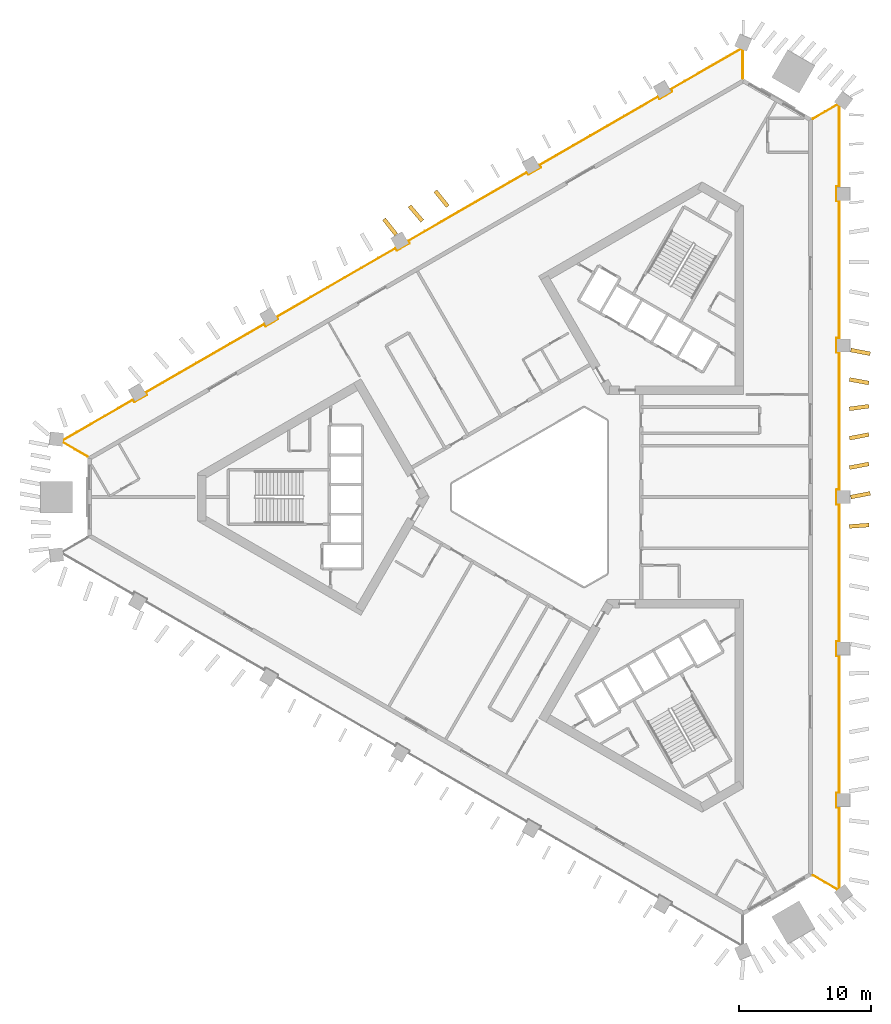
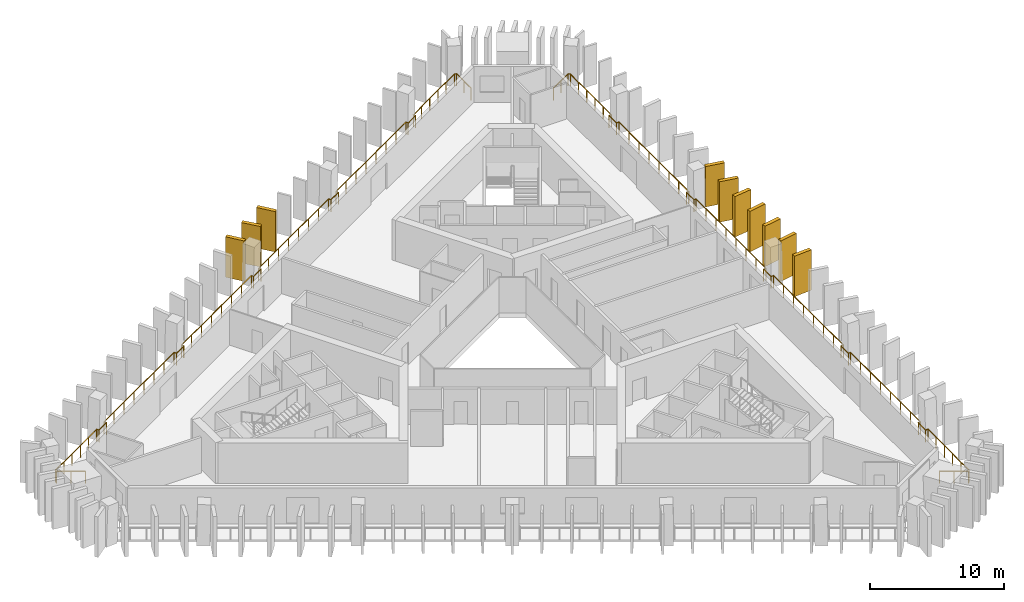
# One storey, part 9 of 10: 10 shading devices, 2 railings.
"""IFC4 building model written with IfcOpenShell, lengths in metres."""

import ifcopenshell
import ifcopenshell.guid

model = None  # the IFC model being written
_history = None  # IfcOwnerHistory: only IFC2X3 demands one
_inside = {}  # id of a spatial element -> (the spatial element, [elements in it])
_under = {}  # id of a project, library or spatial element -> (it, [spatial elements below it])
_declared = {}  # id of a project -> (the project, [libraries it declares])
_typed = {}  # id of a type object -> (the type object, [elements of that type])
_made_of = {}  # id of a material, layer set ... -> (it, [elements and type objects made of it])


def new_model(schema):
    """Start an empty IFC model of exactly this schema.

    Asked for "IFC4X3", IfcOpenShell would pick the latest addendum, in which some entities
    have other attributes; the version numbers below select the first issue.
    IFC2X3 requires an IfcOwnerHistory on every rooted entity: one is made here for all.
    """
    global model, _history
    if schema == "IFC4X3":
        model = ifcopenshell.file(schema_version=(4, 3, 0, 0))
    else:
        model = ifcopenshell.file(schema=schema)
    _inside.clear()
    _under.clear()
    _declared.clear()
    _typed.clear()
    _made_of.clear()
    _history = None
    if model.schema == "IFC2X3":
        org = make("IfcOrganization", Name="unknown")
        user = make(
            "IfcPersonAndOrganization",
            ThePerson=make("IfcPerson", FamilyName="unknown"),
            TheOrganization=org,
        )
        app = make(
            "IfcApplication",
            ApplicationDeveloper=org,
            Version="unknown",
            ApplicationFullName="unknown",
            ApplicationIdentifier="unknown",
        )
        _history = make(
            "IfcOwnerHistory",
            OwningUser=user,
            OwningApplication=app,
            ChangeAction="ADDED",
            CreationDate=0,
        )
    return model


def make(cls, **values):
    """One entity of the class cls with the attributes given. An attribute that is None is left unset."""
    return model.create_entity(
        cls, **{name: value for name, value in values.items() if value is not None}
    )


def rooted(cls, **values):
    """An entity with a GlobalId (a new one), such as an element, a storey or a relation."""
    return make(cls, GlobalId=ifcopenshell.guid.new(), OwnerHistory=_history, **values)


def si_unit(unit_type, name, prefix=None):
    """IfcSIUnit, for example si_unit("LENGTHUNIT", "METRE", prefix="MILLI")."""
    return make("IfcSIUnit", UnitType=unit_type, Prefix=prefix, Name=name)


def assignment(units):
    """IfcUnitAssignment: the units of a project."""
    return None if units is None else make("IfcUnitAssignment", Units=units)


def point(xyz):
    """IfcCartesianPoint."""
    return None if xyz is None else make("IfcCartesianPoint", Coordinates=xyz)


def direction(xyz):
    """IfcDirection."""
    return None if xyz is None else make("IfcDirection", DirectionRatios=xyz)


def frame(location, z_axis=None, x_axis=None):
    """IfcAxis2Placement3D, a coordinate frame: its origin and axes. An axis left out is left unset."""
    return make(
        "IfcAxis2Placement3D",
        Location=point(location),
        Axis=direction(z_axis),
        RefDirection=direction(x_axis),
    )


def frame_2d(location, x_axis=None):
    """IfcAxis2Placement2D, a coordinate frame in the plane: its origin and x axis."""
    return make(
        "IfcAxis2Placement2D", Location=point(location), RefDirection=direction(x_axis)
    )


def origin():
    """The frame at (0, 0, 0) with its axes left unset."""
    return frame((0.0, 0.0, 0.0))


def origin_2d():
    """The frame at (0, 0) in the plane with its x axis left unset."""
    return frame_2d((0.0, 0.0))


def place(relative_to, where):
    """IfcLocalPlacement: puts the frame where relative to a parent placement (None: the world)."""
    return make(
        "IfcLocalPlacement", PlacementRelTo=relative_to, RelativePlacement=where
    )


def context(
    kind, dimensions, precision=None, world=None, true_north=None, identifier=None
):
    """IfcGeometricRepresentationContext, for example the 3D "Model" context."""
    return make(
        "IfcGeometricRepresentationContext",
        ContextIdentifier=identifier,
        ContextType=kind,
        CoordinateSpaceDimension=dimensions,
        Precision=precision,
        WorldCoordinateSystem=world,
        TrueNorth=true_north,
    )


def subcontext(parent, identifier, kind, view, scale=None):
    """IfcGeometricRepresentationSubContext, for example "Body" below "Model"."""
    return make(
        "IfcGeometricRepresentationSubContext",
        ContextIdentifier=identifier,
        ContextType=kind,
        ParentContext=parent,
        TargetScale=scale,
        TargetView=view,
    )


def project(units=None, contexts=None):
    """IfcProject with its units and contexts."""
    return rooted(
        "IfcProject",
        Name="project",
        RepresentationContexts=contexts,
        UnitsInContext=assignment(units),
    )


def spatial(cls, under=None, at=None, **own):
    """A site, building, storey or space (cls), placed at a placement, below another one or the project."""
    s = rooted(cls, ObjectPlacement=at, **own)
    if under is not None:
        _under.setdefault(under.id(), (under, []))[1].append(s)
    return s


def profile(cls, at=None, kind="AREA", **sizes):
    """A parametric profile (cls). Its sizes go by their IFC names, for example OverallWidth=200.0."""
    return make(cls, ProfileType=kind, Position=at, **sizes)


def rectangle(**sizes):
    """IfcRectangleProfileDef."""
    return profile("IfcRectangleProfileDef", **sizes)


def circle(**sizes):
    """IfcCircleProfileDef."""
    return profile("IfcCircleProfileDef", **sizes)


def extrude(swept, where, along, depth):
    """IfcExtrudedAreaSolid: the profile swept, set in the frame where, extruded along a direction by depth."""
    return make(
        "IfcExtrudedAreaSolid",
        SweptArea=swept,
        Position=where,
        ExtrudedDirection=direction(along),
        Depth=depth,
    )


def shape(context_of_items, identifier, shape_type, items):
    """IfcShapeRepresentation: the items that make up one representation, for example the "Body"."""
    return make(
        "IfcShapeRepresentation",
        ContextOfItems=context_of_items,
        RepresentationIdentifier=identifier,
        RepresentationType=shape_type,
        Items=items,
    )


def material(Name=None, Category=None):
    """IfcMaterial."""
    return make("IfcMaterial", Name=Name, Category=Category)


def layer(
    of_material, thickness, ventilated=None, Name=None, Category=None, Priority=None
):
    """IfcMaterialLayer: one layer of a wall or slab, of a material (None: an air gap)."""
    return make(
        "IfcMaterialLayer",
        Material=of_material,
        LayerThickness=thickness,
        IsVentilated=ventilated,
        Name=Name,
        Category=Category,
        Priority=Priority,
    )


def layer_set(layers, Name=None):
    """IfcMaterialLayerSet."""
    return make("IfcMaterialLayerSet", MaterialLayers=layers, LayerSetName=Name)


def made_of(thing, what):
    """Note that an element or type object is made of a material, layer set ...; save() writes the relation."""
    if what is not None:
        _made_of.setdefault(what.id(), (what, []))[1].append(thing)
    return thing


def type_object(cls, material=None, **own):
    """A type object (cls), such as IfcWallType, which elements share."""
    return made_of(rooted(cls, **own), material)


def element(
    cls,
    number,
    at=None,
    inside=None,
    cuts=None,
    type_object=None,
    material=None,
    context=None,
    identifier="Body",
    shape_type=None,
    held_by="IfcProductDefinitionShape",
    body=None,
    shapes=None,
    **own,
):
    """One element of the class cls, such as IfcWall. Its Tag is "e" and its number.

    at: its placement. inside: the storey or other place that contains it. cuts: it is an
    opening in that element (IfcRelVoidsElement). A single representation is given by context,
    identifier, shape_type and body (its items); several are given by shapes. held_by: the class
    of the entity that holds the representations. save() writes the other relations.
    """
    e = rooted(cls, Tag="e%d" % number, ObjectPlacement=at, **own)
    if body is not None:
        shapes = [shape(context, identifier, shape_type, body)]
    if shapes is not None:
        e.Representation = make(held_by, Representations=shapes)
    if inside is not None:
        _inside.setdefault(inside.id(), (inside, []))[1].append(e)
    if cuts is not None:
        rooted(
            "IfcRelVoidsElement", RelatingBuildingElement=cuts, RelatedOpeningElement=e
        )
    if type_object is not None:
        _typed.setdefault(type_object.id(), (type_object, []))[1].append(e)
    return made_of(e, material)


def aggregate(whole, parts):
    """IfcRelAggregates: a whole, such as a stair, and the parts it consists of."""
    return rooted("IfcRelAggregates", RelatingObject=whole, RelatedObjects=parts)


def save(model, path):
    """Write the relations noted so far, then the file.

    IfcRelAggregates (storeys below a building ...), IfcRelContainedInSpatialStructure (elements
    in a storey), IfcRelDefinesByType, IfcRelAssociatesMaterial and IfcRelDeclares: one each for
    every whole, place, type object, material and project.
    """
    for whole, parts in _under.values():
        aggregate(whole, parts)
    for where, things in _inside.values():
        rooted(
            "IfcRelContainedInSpatialStructure",
            RelatedElements=things,
            RelatingStructure=where,
        )
    for kind, things in _typed.values():
        rooted("IfcRelDefinesByType", RelatedObjects=things, RelatingType=kind)
    for what, things in _made_of.values():
        rooted("IfcRelAssociatesMaterial", RelatedObjects=things, RelatingMaterial=what)
    for by, libraries in _declared.values():
        rooted("IfcRelDeclares", RelatingContext=by, RelatedDefinitions=libraries)
    model.write(path)


model = new_model("IFC4")

# Units and contexts
model_context = context("Model", 3, precision=1e-05, world=origin(), true_north=direction((0.0, 1.0)))
body_context = subcontext(model_context, "Body", "Model", "MODEL_VIEW")
ifc_project = project(units=[si_unit("LENGTHUNIT", "METRE"), si_unit("AREAUNIT", "SQUARE_METRE"), si_unit("VOLUMEUNIT", "CUBIC_METRE"), si_unit("PLANEANGLEUNIT", "RADIAN"), si_unit("MASSUNIT", "GRAM", prefix="KILO")], contexts=[model_context])

# Site, building, storey
site_placement = place(None, origin())
site = spatial("IfcSite", under=ifc_project, at=site_placement, CompositionType="ELEMENT")
building_placement = place(site_placement, origin())
building = spatial("IfcBuilding", under=site, at=building_placement, Name="Jabali Bay Hotel Tower and Convention Centre", CompositionType="ELEMENT")
storey_placement = place(building_placement, frame((0.0, 0.0, 106.800048828125)))
storey = spatial("IfcBuildingStorey", under=building, at=storey_placement, Name="L25", CompositionType="ELEMENT", Elevation=106.800048828125)

# Railings
ifc_material_1 = material(Name="Glass", Category="glass")
railing_type = type_object("IfcRailingType", Name="Loggia glass guard 1100", PredefinedType="BALUSTRADE", material=ifc_material_1)
railing_1_placement = place(storey_placement, frame((95.1494140625, 108.7412109375, 0.0)))
element("IfcRailing", 1, at=railing_1_placement, inside=storey, type_object=railing_type, Name="Loggia glass guard L25", PredefinedType="BALUSTRADE", context=body_context, shape_type="SweptSolid", body=[
    extrude(circle(Radius=0.02490234375, at=origin_2d()), frame((0.0, 0.0, 1.0751953125), z_axis=(0.866007213464, 0.500031505235, 0.0), x_axis=(-0.495753666391, 0.858598401702, 0.13052619222)), (0.0, 0.0, 1.0), 2.165283203125),
    extrude(circle(Radius=0.02490234375, at=origin_2d()), frame((1.875244140625, 1.082763671875, 1.0751953125), z_axis=(0.800939455023, -0.598745346025, 0.0), x_axis=(0.593622996588, 0.794087306954, 0.13052619222)), (0.0, 0.0, 1.0), 0.15576171875),
    extrude(circle(Radius=0.02490234375, at=origin_2d()), frame((2.0, 0.989501953125, 1.0751953125), z_axis=(0.0, -1.0, 0.0), x_axis=(0.991444861374, 0.0, 0.13052619222)), (0.0, 0.0, 1.0), 6.138671875),
    extrude(circle(Radius=0.02490234375, at=origin_2d()), frame((2.0, -5.149169921875, 1.0751953125), z_axis=(-1.0, 0.0, 0.0), x_axis=(0.0, -0.991444861374, 0.13052619222)), (0.0, 0.0, 1.0), 0.199951171875),
    extrude(circle(Radius=0.02490234375, at=origin_2d()), frame((1.800048828125, -5.149169921875, 1.0751953125), z_axis=(0.0, -1.0, 0.0), x_axis=(0.991444861374, 0.0, 0.13052619222)), (0.0, 0.0, 1.0), 1.10009765625),
    extrude(circle(Radius=0.02490234375, at=origin_2d()), frame((1.800048828125, -6.249267578125, 1.0751953125), z_axis=(1.0, 0.0, 0.0), x_axis=(0.0, 0.991444861374, 0.13052619222)), (0.0, 0.0, 1.0), 0.199951171875),
    extrude(circle(Radius=0.02490234375, at=origin_2d()), frame((2.0, -6.249267578125, 1.0751953125), z_axis=(0.0, -1.0, 0.0), x_axis=(0.991444861374, 0.0, 0.13052619222)), (0.0, 0.0, 1.0), 10.4208984375),
    extrude(circle(Radius=0.02490234375, at=origin_2d()), frame((2.0, -16.670166015625, 1.0751953125), z_axis=(-1.0, 0.0, 0.0), x_axis=(0.0, -0.991444861374, 0.13052619222)), (0.0, 0.0, 1.0), 0.199951171875),
    extrude(circle(Radius=0.02490234375, at=origin_2d()), frame((1.800048828125, -16.670166015625, 1.0751953125), z_axis=(0.0, -1.0, 0.0), x_axis=(0.991444861374, 0.0, 0.13052619222)), (0.0, 0.0, 1.0), 1.10009765625),
    extrude(circle(Radius=0.02490234375, at=origin_2d()), frame((1.800048828125, -17.770263671875, 1.0751953125), z_axis=(1.0, 0.0, 0.0), x_axis=(0.0, 0.991444861374, 0.13052619222)), (0.0, 0.0, 1.0), 0.199951171875),
    extrude(circle(Radius=0.02490234375, at=origin_2d()), frame((2.0, -17.770263671875, 1.0751953125), z_axis=(0.0, -1.0, 0.0), x_axis=(0.991444861374, 0.0, 0.13052619222)), (0.0, 0.0, 1.0), 10.4208984375),
    extrude(circle(Radius=0.02490234375, at=origin_2d()), frame((2.0, -28.191162109375, 1.0751953125), z_axis=(-1.0, 0.0, 0.0), x_axis=(0.0, -0.991444861374, 0.13052619222)), (0.0, 0.0, 1.0), 0.199951171875),
    extrude(circle(Radius=0.02490234375, at=origin_2d()), frame((1.800048828125, -28.191162109375, 1.0751953125), z_axis=(0.0, -1.0, 0.0), x_axis=(0.991444861374, 0.0, 0.13052619222)), (0.0, 0.0, 1.0), 1.10009765625),
    extrude(circle(Radius=0.02490234375, at=origin_2d()), frame((1.800048828125, -29.291259765625, 1.0751953125), z_axis=(1.0, 0.0, 0.0), x_axis=(0.0, 0.991444861374, 0.13052619222)), (0.0, 0.0, 1.0), 0.199951171875),
    extrude(circle(Radius=0.02490234375, at=origin_2d()), frame((2.0, -29.291259765625, 1.0751953125), z_axis=(0.0, -1.0, 0.0), x_axis=(0.991444861374, 0.0, 0.13052619222)), (0.0, 0.0, 1.0), 10.4208984375),
    extrude(circle(Radius=0.02490234375, at=origin_2d()), frame((2.0, -39.712158203125, 1.0751953125), z_axis=(-1.0, 0.0, 0.0), x_axis=(0.0, -0.991444861374, 0.13052619222)), (0.0, 0.0, 1.0), 0.199951171875),
    extrude(circle(Radius=0.02490234375, at=origin_2d()), frame((1.800048828125, -39.712158203125, 1.0751953125), z_axis=(0.0, -1.0, 0.0), x_axis=(0.991444861374, 0.0, 0.13052619222)), (0.0, 0.0, 1.0), 1.10009765625),
    extrude(circle(Radius=0.02490234375, at=origin_2d()), frame((1.800048828125, -40.812255859375, 1.0751953125), z_axis=(1.0, 0.0, 0.0), x_axis=(0.0, 0.991444861374, 0.13052619222)), (0.0, 0.0, 1.0), 0.199951171875),
    extrude(circle(Radius=0.02490234375, at=origin_2d()), frame((2.0, -40.812255859375, 1.0751953125), z_axis=(0.0, -1.0, 0.0), x_axis=(0.991444861374, 0.0, 0.13052619222)), (0.0, 0.0, 1.0), 10.4208984375),
    extrude(circle(Radius=0.02490234375, at=origin_2d()), frame((2.0, -51.233154296875, 1.0751953125), z_axis=(-1.0, 0.0, 0.0), x_axis=(0.0, -0.991444861374, 0.13052619222)), (0.0, 0.0, 1.0), 0.199951171875),
    extrude(circle(Radius=0.02490234375, at=origin_2d()), frame((1.800048828125, -51.233154296875, 1.0751953125), z_axis=(0.0, -1.0, 0.0), x_axis=(0.991444861374, 0.0, 0.13052619222)), (0.0, 0.0, 1.0), 1.10009765625),
    extrude(circle(Radius=0.02490234375, at=origin_2d()), frame((1.800048828125, -52.333251953125, 1.0751953125), z_axis=(1.0, 0.0, 0.0), x_axis=(0.0, 0.991444861374, 0.13052619222)), (0.0, 0.0, 1.0), 0.199951171875),
    extrude(circle(Radius=0.02490234375, at=origin_2d()), frame((2.0, -52.333251953125, 1.0751953125), z_axis=(0.0, -1.0, 0.0), x_axis=(0.991444861374, 0.0, 0.13052619222)), (0.0, 0.0, 1.0), 6.138671875),
    extrude(circle(Radius=0.02490234375, at=origin_2d()), frame((2.0, -58.471923828125, 1.0751953125), z_axis=(-0.800939455023, -0.598745346025, 0.0), x_axis=(0.593622996588, -0.794087306954, 0.13052619222)), (0.0, 0.0, 1.0), 0.15576171875),
    extrude(circle(Radius=0.02490234375, at=origin_2d()), frame((1.875244140625, -58.565185546875, 1.0751953125), z_axis=(-0.866007213464, 0.500031505235, 0.0), x_axis=(-0.495753666391, -0.858598401702, 0.13052619222)), (0.0, 0.0, 1.0), 2.165283203125),
    extrude(circle(Radius=0.02001953125, at=origin_2d()), origin(), (0.0, 0.0, 1.0), 1.050048828125),
    extrude(circle(Radius=0.02001953125, at=origin_2d()), frame((0.9375, 0.54150390625, 0.0)), (0.0, 0.0, 1.0), 1.050048828125),
    extrude(circle(Radius=0.02001953125, at=origin_2d()), frame((1.875244140625, 1.082763671875, 0.0)), (0.0, 0.0, 1.0), 1.050048828125),
    extrude(circle(Radius=0.02001953125, at=origin_2d()), frame((2.0, 0.989501953125, 0.0)), (0.0, 0.0, 1.0), 1.050048828125),
    extrude(circle(Radius=0.02001953125, at=origin_2d()), frame((2.0, -0.23828125, 0.0)), (0.0, 0.0, 1.0), 1.050048828125),
    extrude(circle(Radius=0.02001953125, at=origin_2d()), frame((2.0, -1.466064453125, 0.0)), (0.0, 0.0, 1.0), 1.050048828125),
    extrude(circle(Radius=0.02001953125, at=origin_2d()), frame((2.0, -2.693603515625, 0.0)), (0.0, 0.0, 1.0), 1.050048828125),
    extrude(circle(Radius=0.02001953125, at=origin_2d()), frame((2.0, -3.92138671875, 0.0)), (0.0, 0.0, 1.0), 1.050048828125),
    extrude(circle(Radius=0.02001953125, at=origin_2d()), frame((2.0, -5.149169921875, 0.0)), (0.0, 0.0, 1.0), 1.050048828125),
    extrude(circle(Radius=0.02001953125, at=origin_2d()), frame((1.800048828125, -5.149169921875, 0.0)), (0.0, 0.0, 1.0), 1.050048828125),
    extrude(circle(Radius=0.02001953125, at=origin_2d()), frame((1.800048828125, -6.249267578125, 0.0)), (0.0, 0.0, 1.0), 1.050048828125),
    extrude(circle(Radius=0.02001953125, at=origin_2d()), frame((2.0, -6.249267578125, 0.0)), (0.0, 0.0, 1.0), 1.050048828125),
    extrude(circle(Radius=0.02001953125, at=origin_2d()), frame((2.0, -7.738037109375, 0.0)), (0.0, 0.0, 1.0), 1.050048828125),
    extrude(circle(Radius=0.02001953125, at=origin_2d()), frame((2.0, -9.2265625, 0.0)), (0.0, 0.0, 1.0), 1.050048828125),
    extrude(circle(Radius=0.02001953125, at=origin_2d()), frame((2.0, -10.71533203125, 0.0)), (0.0, 0.0, 1.0), 1.050048828125),
    extrude(circle(Radius=0.02001953125, at=origin_2d()), frame((2.0, -12.2041015625, 0.0)), (0.0, 0.0, 1.0), 1.050048828125),
    extrude(circle(Radius=0.02001953125, at=origin_2d()), frame((2.0, -13.69287109375, 0.0)), (0.0, 0.0, 1.0), 1.050048828125),
    extrude(circle(Radius=0.02001953125, at=origin_2d()), frame((2.0, -15.181396484375, 0.0)), (0.0, 0.0, 1.0), 1.050048828125),
    extrude(circle(Radius=0.02001953125, at=origin_2d()), frame((2.0, -16.670166015625, 0.0)), (0.0, 0.0, 1.0), 1.050048828125),
    extrude(circle(Radius=0.02001953125, at=origin_2d()), frame((1.800048828125, -16.670166015625, 0.0)), (0.0, 0.0, 1.0), 1.050048828125),
    extrude(circle(Radius=0.02001953125, at=origin_2d()), frame((1.800048828125, -17.770263671875, 0.0)), (0.0, 0.0, 1.0), 1.050048828125),
    extrude(circle(Radius=0.02001953125, at=origin_2d()), frame((2.0, -17.770263671875, 0.0)), (0.0, 0.0, 1.0), 1.050048828125),
    extrude(circle(Radius=0.02001953125, at=origin_2d()), frame((2.0, -19.259033203125, 0.0)), (0.0, 0.0, 1.0), 1.050048828125),
    extrude(circle(Radius=0.02001953125, at=origin_2d()), frame((2.0, -20.74755859375, 0.0)), (0.0, 0.0, 1.0), 1.050048828125),
    extrude(circle(Radius=0.02001953125, at=origin_2d()), frame((2.0, -22.236328125, 0.0)), (0.0, 0.0, 1.0), 1.050048828125),
    extrude(circle(Radius=0.02001953125, at=origin_2d()), frame((2.0, -23.72509765625, 0.0)), (0.0, 0.0, 1.0), 1.050048828125),
    extrude(circle(Radius=0.02001953125, at=origin_2d()), frame((2.0, -25.2138671875, 0.0)), (0.0, 0.0, 1.0), 1.050048828125),
    extrude(circle(Radius=0.02001953125, at=origin_2d()), frame((2.0, -26.702392578125, 0.0)), (0.0, 0.0, 1.0), 1.050048828125),
    extrude(circle(Radius=0.02001953125, at=origin_2d()), frame((2.0, -28.191162109375, 0.0)), (0.0, 0.0, 1.0), 1.050048828125),
    extrude(circle(Radius=0.02001953125, at=origin_2d()), frame((1.800048828125, -28.191162109375, 0.0)), (0.0, 0.0, 1.0), 1.050048828125),
    extrude(circle(Radius=0.02001953125, at=origin_2d()), frame((1.800048828125, -29.291259765625, 0.0)), (0.0, 0.0, 1.0), 1.050048828125),
    extrude(circle(Radius=0.02001953125, at=origin_2d()), frame((2.0, -29.291259765625, 0.0)), (0.0, 0.0, 1.0), 1.050048828125),
    extrude(circle(Radius=0.02001953125, at=origin_2d()), frame((2.0, -30.780029296875, 0.0)), (0.0, 0.0, 1.0), 1.050048828125),
    extrude(circle(Radius=0.02001953125, at=origin_2d()), frame((2.0, -32.2685546875, 0.0)), (0.0, 0.0, 1.0), 1.050048828125),
    extrude(circle(Radius=0.02001953125, at=origin_2d()), frame((2.0, -33.75732421875, 0.0)), (0.0, 0.0, 1.0), 1.050048828125),
    extrude(circle(Radius=0.02001953125, at=origin_2d()), frame((2.0, -35.24609375, 0.0)), (0.0, 0.0, 1.0), 1.050048828125),
    extrude(circle(Radius=0.02001953125, at=origin_2d()), frame((2.0, -36.73486328125, 0.0)), (0.0, 0.0, 1.0), 1.050048828125),
    extrude(circle(Radius=0.02001953125, at=origin_2d()), frame((2.0, -38.223388671875, 0.0)), (0.0, 0.0, 1.0), 1.050048828125),
    extrude(circle(Radius=0.02001953125, at=origin_2d()), frame((2.0, -39.712158203125, 0.0)), (0.0, 0.0, 1.0), 1.050048828125),
    extrude(circle(Radius=0.02001953125, at=origin_2d()), frame((1.800048828125, -39.712158203125, 0.0)), (0.0, 0.0, 1.0), 1.050048828125),
    extrude(circle(Radius=0.02001953125, at=origin_2d()), frame((1.800048828125, -40.812255859375, 0.0)), (0.0, 0.0, 1.0), 1.050048828125),
    extrude(circle(Radius=0.02001953125, at=origin_2d()), frame((2.0, -40.812255859375, 0.0)), (0.0, 0.0, 1.0), 1.050048828125),
    extrude(circle(Radius=0.02001953125, at=origin_2d()), frame((2.0, -42.301025390625, 0.0)), (0.0, 0.0, 1.0), 1.050048828125),
    extrude(circle(Radius=0.02001953125, at=origin_2d()), frame((2.0, -43.78955078125, 0.0)), (0.0, 0.0, 1.0), 1.050048828125),
    extrude(circle(Radius=0.02001953125, at=origin_2d()), frame((2.0, -45.2783203125, 0.0)), (0.0, 0.0, 1.0), 1.050048828125),
    extrude(circle(Radius=0.02001953125, at=origin_2d()), frame((2.0, -46.76708984375, 0.0)), (0.0, 0.0, 1.0), 1.050048828125),
    extrude(circle(Radius=0.02001953125, at=origin_2d()), frame((2.0, -48.255859375, 0.0)), (0.0, 0.0, 1.0), 1.050048828125),
    extrude(circle(Radius=0.02001953125, at=origin_2d()), frame((2.0, -49.744384765625, 0.0)), (0.0, 0.0, 1.0), 1.050048828125),
    extrude(circle(Radius=0.02001953125, at=origin_2d()), frame((2.0, -51.233154296875, 0.0)), (0.0, 0.0, 1.0), 1.050048828125),
    extrude(circle(Radius=0.02001953125, at=origin_2d()), frame((1.800048828125, -51.233154296875, 0.0)), (0.0, 0.0, 1.0), 1.050048828125),
    extrude(circle(Radius=0.02001953125, at=origin_2d()), frame((1.800048828125, -52.333251953125, 0.0)), (0.0, 0.0, 1.0), 1.050048828125),
    extrude(circle(Radius=0.02001953125, at=origin_2d()), frame((2.0, -52.333251953125, 0.0)), (0.0, 0.0, 1.0), 1.050048828125),
    extrude(circle(Radius=0.02001953125, at=origin_2d()), frame((2.0, -53.56103515625, 0.0)), (0.0, 0.0, 1.0), 1.050048828125),
    extrude(circle(Radius=0.02001953125, at=origin_2d()), frame((2.0, -54.788818359375, 0.0)), (0.0, 0.0, 1.0), 1.050048828125),
    extrude(circle(Radius=0.02001953125, at=origin_2d()), frame((2.0, -56.016357421875, 0.0)), (0.0, 0.0, 1.0), 1.050048828125),
    extrude(circle(Radius=0.02001953125, at=origin_2d()), frame((2.0, -57.244140625, 0.0)), (0.0, 0.0, 1.0), 1.050048828125),
    extrude(circle(Radius=0.02001953125, at=origin_2d()), frame((2.0, -58.471923828125, 0.0)), (0.0, 0.0, 1.0), 1.050048828125),
    extrude(circle(Radius=0.02001953125, at=origin_2d()), frame((1.875244140625, -58.565185546875, 0.0)), (0.0, 0.0, 1.0), 1.050048828125),
    extrude(circle(Radius=0.02001953125, at=origin_2d()), frame((0.9375, -58.02392578125, 0.0)), (0.0, 0.0, 1.0), 1.050048828125),
    extrude(circle(Radius=0.02001953125, at=origin_2d()), frame((0.0, -57.482421875, 0.0)), (0.0, 0.0, 1.0), 1.050048828125),
])
railing_2_placement = place(storey_placement, frame((40.03466796875, 83.079345703125, 0.0)))
element("IfcRailing", 2, at=railing_2_placement, inside=storey, type_object=railing_type, Name="Loggia glass guard L25", PredefinedType="BALUSTRADE", context=body_context, shape_type="SweptSolid", body=[
    extrude(circle(Radius=0.02490234375, at=origin_2d()), frame((0.0, 0.0, 1.0751953125), z_axis=(-0.866056034881, 0.49994694163, 0.0), x_axis=(-0.495669826239, -0.858646805445, 0.13052619222)), (0.0, 0.0, 1.0), 2.165283203125),
    extrude(circle(Radius=0.02490234375, at=origin_2d()), frame((-1.875244140625, 1.08251953125, 1.0751953125), z_axis=(0.117477392411, 0.993075557182, 0.0), x_axis=(-0.984579658124, 0.116472357034, 0.13052619222)), (0.0, 0.0, 1.0), 0.15576171875),
    extrude(circle(Radius=0.02490234375, at=origin_2d()), frame((-1.85693359375, 1.2373046875, 1.0751953125), z_axis=(0.866021995826, 0.500005902711, 0.0), x_axis=(-0.495728282899, 0.858613057598, 0.13052619222)), (0.0, 0.0, 1.0), 6.138671875),
    extrude(circle(Radius=0.02490234375, at=origin_2d()), frame((3.459228515625, 4.306640625, 1.0751953125), z_axis=(0.500603037456, -0.865676959893, 0.0), x_axis=(0.858270973496, 0.496320309074, 0.13052619222)), (0.0, 0.0, 1.0), 0.199951171875),
    extrude(circle(Radius=0.02490234375, at=origin_2d()), frame((3.559326171875, 4.133544921875, 1.0751953125), z_axis=(0.866104278045, 0.499863360881, 0.0), x_axis=(-0.495586960535, 0.858694635882, 0.13052619222)), (0.0, 0.0, 1.0), 1.099853515625),
    extrude(circle(Radius=0.02490234375, at=origin_2d()), frame((4.511962890625, 4.683349609375, 1.0751953125), z_axis=(-0.500074377092, 0.865982457891, 0.0), x_axis=(-0.858573857916, -0.495796171473, 0.13052619222)), (0.0, 0.0, 1.0), 0.2001953125),
    extrude(circle(Radius=0.02490234375, at=origin_2d()), frame((4.411865234375, 4.856689453125, 1.0751953125), z_axis=(0.866028751965, 0.499994200737, 0.0), x_axis=(-0.495716681037, 0.858619755937, 0.13052619222)), (0.0, 0.0, 1.0), 10.4208984375),
    extrude(circle(Radius=0.02490234375, at=origin_2d()), frame((13.436767578125, 10.067138671875, 1.0751953125), z_axis=(0.500603037456, -0.865676959893, 0.0), x_axis=(0.858270973496, 0.496320309074, 0.13052619222)), (0.0, 0.0, 1.0), 0.199951171875),
    extrude(circle(Radius=0.02490234375, at=origin_2d()), frame((13.536865234375, 9.89404296875, 1.0751953125), z_axis=(0.866104278045, 0.499863360881, 0.0), x_axis=(-0.495586960535, 0.858694635882, 0.13052619222)), (0.0, 0.0, 1.0), 1.099853515625),
    extrude(circle(Radius=0.02490234375, at=origin_2d()), frame((14.489501953125, 10.44384765625, 1.0751953125), z_axis=(-0.500074377092, 0.865982457891, 0.0), x_axis=(-0.858573857916, -0.495796171473, 0.13052619222)), (0.0, 0.0, 1.0), 0.2001953125),
    extrude(circle(Radius=0.02490234375, at=origin_2d()), frame((14.389404296875, 10.6171875, 1.0751953125), z_axis=(0.866028751965, 0.499994200737, 0.0), x_axis=(-0.495716681037, 0.858619755937, 0.13052619222)), (0.0, 0.0, 1.0), 10.4208984375),
    extrude(circle(Radius=0.02490234375, at=origin_2d()), frame((23.414306640625, 15.82763671875, 1.0751953125), z_axis=(0.499687197852, -0.866205924883, 0.0), x_axis=(0.858795413117, 0.495412304605, 0.13052619222)), (0.0, 0.0, 1.0), 0.199951171875),
    extrude(circle(Radius=0.02490234375, at=origin_2d()), frame((23.51416015625, 15.654541015625, 1.0751953125), z_axis=(0.866008176907, 0.50002983664, 0.0), x_axis=(-0.495752012071, 0.858599356902, 0.13052619222)), (0.0, 0.0, 1.0), 1.10009765625),
    extrude(circle(Radius=0.02490234375, at=origin_2d()), frame((24.466796875, 16.20458984375, 1.0751953125), z_axis=(-0.499687197852, 0.866205924883, 0.0), x_axis=(-0.858795413117, -0.495412304605, 0.13052619222)), (0.0, 0.0, 1.0), 0.199951171875),
    extrude(circle(Radius=0.02490234375, at=origin_2d()), frame((24.366943359375, 16.377685546875, 1.0751953125), z_axis=(0.866028751965, 0.499994200737, 0.0), x_axis=(-0.495716681037, 0.858619755937, 0.13052619222)), (0.0, 0.0, 1.0), 10.4208984375),
    extrude(circle(Radius=0.02490234375, at=origin_2d()), frame((33.391845703125, 21.588134765625, 1.0751953125), z_axis=(0.499687197852, -0.866205924883, 0.0), x_axis=(0.858795413117, 0.495412304605, 0.13052619222)), (0.0, 0.0, 1.0), 0.199951171875),
    extrude(circle(Radius=0.02490234375, at=origin_2d()), frame((33.49169921875, 21.4150390625, 1.0751953125), z_axis=(0.866008176907, 0.50002983664, 0.0), x_axis=(-0.495752012071, 0.858599356902, 0.13052619222)), (0.0, 0.0, 1.0), 1.10009765625),
    extrude(circle(Radius=0.02490234375, at=origin_2d()), frame((34.4443359375, 21.965087890625, 1.0751953125), z_axis=(-0.499687197852, 0.866205924883, 0.0), x_axis=(-0.858795413117, -0.495412304605, 0.13052619222)), (0.0, 0.0, 1.0), 0.199951171875),
    extrude(circle(Radius=0.02490234375, at=origin_2d()), frame((34.344482421875, 22.13818359375, 1.0751953125), z_axis=(0.866022894995, 0.500004345326, 0.0), x_axis=(-0.495726738838, 0.858613949075, 0.13052619222)), (0.0, 0.0, 1.0), 10.4208984375),
    extrude(circle(Radius=0.02490234375, at=origin_2d()), frame((43.369140625, 27.3486328125, 1.0751953125), z_axis=(0.500603037456, -0.865676959893, 0.0), x_axis=(0.858270973496, 0.496320309074, 0.13052619222)), (0.0, 0.0, 1.0), 0.199951171875),
    extrude(circle(Radius=0.02490234375, at=origin_2d()), frame((43.46923828125, 27.175537109375, 1.0751953125), z_axis=(0.866008176907, 0.50002983664, 0.0), x_axis=(-0.495752012071, 0.858599356902, 0.13052619222)), (0.0, 0.0, 1.0), 1.10009765625),
    extrude(circle(Radius=0.02490234375, at=origin_2d()), frame((44.421875, 27.7255859375, 1.0751953125), z_axis=(-0.500603037456, 0.865676959893, 0.0), x_axis=(-0.858270973496, -0.496320309074, 0.13052619222)), (0.0, 0.0, 1.0), 0.199951171875),
    extrude(circle(Radius=0.02490234375, at=origin_2d()), frame((44.32177734375, 27.898681640625, 1.0751953125), z_axis=(0.866031938394, 0.499988681553, 0.0), x_axis=(-0.495711209071, 0.858622915107, 0.13052619222)), (0.0, 0.0, 1.0), 6.138916015625),
    extrude(circle(Radius=0.02490234375, at=origin_2d()), frame((49.63818359375, 30.968017578125, 1.0751953125), z_axis=(0.918657809016, -0.395054211386, 0.0), x_axis=(0.391674467843, 0.91079856411, 0.13052619222)), (0.0, 0.0, 1.0), 0.15576171875),
    extrude(circle(Radius=0.02490234375, at=origin_2d()), frame((49.78125, 30.906494140625, 1.0751953125), z_axis=(0.0, -1.0, 0.0), x_axis=(0.991444861374, 0.0, 0.13052619222)), (0.0, 0.0, 1.0), 2.165283203125),
    extrude(circle(Radius=0.02001953125, at=origin_2d()), origin(), (0.0, 0.0, 1.0), 1.050048828125),
    extrude(circle(Radius=0.02001953125, at=origin_2d()), frame((-0.9375, 0.541259765625, 0.0)), (0.0, 0.0, 1.0), 1.050048828125),
    extrude(circle(Radius=0.02001953125, at=origin_2d()), frame((-1.875244140625, 1.08251953125, 0.0)), (0.0, 0.0, 1.0), 1.050048828125),
    extrude(circle(Radius=0.02001953125, at=origin_2d()), frame((-1.85693359375, 1.2373046875, 0.0)), (0.0, 0.0, 1.0), 1.050048828125),
    extrude(circle(Radius=0.02001953125, at=origin_2d()), frame((-0.793701171875, 1.85107421875, 0.0)), (0.0, 0.0, 1.0), 1.050048828125),
    extrude(circle(Radius=0.02001953125, at=origin_2d()), frame((0.26953125, 2.465087890625, 0.0)), (0.0, 0.0, 1.0), 1.050048828125),
    extrude(circle(Radius=0.02001953125, at=origin_2d()), frame((1.332763671875, 3.078857421875, 0.0)), (0.0, 0.0, 1.0), 1.050048828125),
    extrude(circle(Radius=0.02001953125, at=origin_2d()), frame((2.39599609375, 3.69287109375, 0.0)), (0.0, 0.0, 1.0), 1.050048828125),
    extrude(circle(Radius=0.02001953125, at=origin_2d()), frame((3.459228515625, 4.306640625, 0.0)), (0.0, 0.0, 1.0), 1.050048828125),
    extrude(circle(Radius=0.02001953125, at=origin_2d()), frame((3.559326171875, 4.133544921875, 0.0)), (0.0, 0.0, 1.0), 1.050048828125),
    extrude(circle(Radius=0.02001953125, at=origin_2d()), frame((4.511962890625, 4.683349609375, 0.0)), (0.0, 0.0, 1.0), 1.050048828125),
    extrude(circle(Radius=0.02001953125, at=origin_2d()), frame((4.411865234375, 4.856689453125, 0.0)), (0.0, 0.0, 1.0), 1.050048828125),
    extrude(circle(Radius=0.02001953125, at=origin_2d()), frame((5.701171875, 5.60107421875, 0.0)), (0.0, 0.0, 1.0), 1.050048828125),
    extrude(circle(Radius=0.02001953125, at=origin_2d()), frame((6.990478515625, 6.345458984375, 0.0)), (0.0, 0.0, 1.0), 1.050048828125),
    extrude(circle(Radius=0.02001953125, at=origin_2d()), frame((8.27978515625, 7.08984375, 0.0)), (0.0, 0.0, 1.0), 1.050048828125),
    extrude(circle(Radius=0.02001953125, at=origin_2d()), frame((9.56884765625, 7.833984375, 0.0)), (0.0, 0.0, 1.0), 1.050048828125),
    extrude(circle(Radius=0.02001953125, at=origin_2d()), frame((10.858154296875, 8.578369140625, 0.0)), (0.0, 0.0, 1.0), 1.050048828125),
    extrude(circle(Radius=0.02001953125, at=origin_2d()), frame((12.1474609375, 9.32275390625, 0.0)), (0.0, 0.0, 1.0), 1.050048828125),
    extrude(circle(Radius=0.02001953125, at=origin_2d()), frame((13.436767578125, 10.067138671875, 0.0)), (0.0, 0.0, 1.0), 1.050048828125),
    extrude(circle(Radius=0.02001953125, at=origin_2d()), frame((13.536865234375, 9.89404296875, 0.0)), (0.0, 0.0, 1.0), 1.050048828125),
    extrude(circle(Radius=0.02001953125, at=origin_2d()), frame((14.489501953125, 10.44384765625, 0.0)), (0.0, 0.0, 1.0), 1.050048828125),
    extrude(circle(Radius=0.02001953125, at=origin_2d()), frame((14.389404296875, 10.6171875, 0.0)), (0.0, 0.0, 1.0), 1.050048828125),
    extrude(circle(Radius=0.02001953125, at=origin_2d()), frame((15.6787109375, 11.361572265625, 0.0)), (0.0, 0.0, 1.0), 1.050048828125),
    extrude(circle(Radius=0.02001953125, at=origin_2d()), frame((16.968017578125, 12.10595703125, 0.0)), (0.0, 0.0, 1.0), 1.050048828125),
    extrude(circle(Radius=0.02001953125, at=origin_2d()), frame((18.25732421875, 12.850341796875, 0.0)), (0.0, 0.0, 1.0), 1.050048828125),
    extrude(circle(Radius=0.02001953125, at=origin_2d()), frame((19.54638671875, 13.594482421875, 0.0)), (0.0, 0.0, 1.0), 1.050048828125),
    extrude(circle(Radius=0.02001953125, at=origin_2d()), frame((20.835693359375, 14.3388671875, 0.0)), (0.0, 0.0, 1.0), 1.050048828125),
    extrude(circle(Radius=0.02001953125, at=origin_2d()), frame((22.125, 15.083251953125, 0.0)), (0.0, 0.0, 1.0), 1.050048828125),
    extrude(circle(Radius=0.02001953125, at=origin_2d()), frame((23.414306640625, 15.82763671875, 0.0)), (0.0, 0.0, 1.0), 1.050048828125),
    extrude(circle(Radius=0.02001953125, at=origin_2d()), frame((23.51416015625, 15.654541015625, 0.0)), (0.0, 0.0, 1.0), 1.050048828125),
    extrude(circle(Radius=0.02001953125, at=origin_2d()), frame((24.466796875, 16.20458984375, 0.0)), (0.0, 0.0, 1.0), 1.050048828125),
    extrude(circle(Radius=0.02001953125, at=origin_2d()), frame((24.366943359375, 16.377685546875, 0.0)), (0.0, 0.0, 1.0), 1.050048828125),
    extrude(circle(Radius=0.02001953125, at=origin_2d()), frame((25.65625, 17.1220703125, 0.0)), (0.0, 0.0, 1.0), 1.050048828125),
    extrude(circle(Radius=0.02001953125, at=origin_2d()), frame((26.945556640625, 17.866455078125, 0.0)), (0.0, 0.0, 1.0), 1.050048828125),
    extrude(circle(Radius=0.02001953125, at=origin_2d()), frame((28.23486328125, 18.61083984375, 0.0)), (0.0, 0.0, 1.0), 1.050048828125),
    extrude(circle(Radius=0.02001953125, at=origin_2d()), frame((29.52392578125, 19.35498046875, 0.0)), (0.0, 0.0, 1.0), 1.050048828125),
    extrude(circle(Radius=0.02001953125, at=origin_2d()), frame((30.813232421875, 20.099365234375, 0.0)), (0.0, 0.0, 1.0), 1.050048828125),
    extrude(circle(Radius=0.02001953125, at=origin_2d()), frame((32.1025390625, 20.84375, 0.0)), (0.0, 0.0, 1.0), 1.050048828125),
    extrude(circle(Radius=0.02001953125, at=origin_2d()), frame((33.391845703125, 21.588134765625, 0.0)), (0.0, 0.0, 1.0), 1.050048828125),
    extrude(circle(Radius=0.02001953125, at=origin_2d()), frame((33.49169921875, 21.4150390625, 0.0)), (0.0, 0.0, 1.0), 1.050048828125),
    extrude(circle(Radius=0.02001953125, at=origin_2d()), frame((34.4443359375, 21.965087890625, 0.0)), (0.0, 0.0, 1.0), 1.050048828125),
    extrude(circle(Radius=0.02001953125, at=origin_2d()), frame((34.344482421875, 22.13818359375, 0.0)), (0.0, 0.0, 1.0), 1.050048828125),
    extrude(circle(Radius=0.02001953125, at=origin_2d()), frame((35.6337890625, 22.882568359375, 0.0)), (0.0, 0.0, 1.0), 1.050048828125),
    extrude(circle(Radius=0.02001953125, at=origin_2d()), frame((36.9228515625, 23.626953125, 0.0)), (0.0, 0.0, 1.0), 1.050048828125),
    extrude(circle(Radius=0.02001953125, at=origin_2d()), frame((38.212158203125, 24.371337890625, 0.0)), (0.0, 0.0, 1.0), 1.050048828125),
    extrude(circle(Radius=0.02001953125, at=origin_2d()), frame((39.50146484375, 25.115478515625, 0.0)), (0.0, 0.0, 1.0), 1.050048828125),
    extrude(circle(Radius=0.02001953125, at=origin_2d()), frame((40.790771484375, 25.85986328125, 0.0)), (0.0, 0.0, 1.0), 1.050048828125),
    extrude(circle(Radius=0.02001953125, at=origin_2d()), frame((42.079833984375, 26.604248046875, 0.0)), (0.0, 0.0, 1.0), 1.050048828125),
    extrude(circle(Radius=0.02001953125, at=origin_2d()), frame((43.369140625, 27.3486328125, 0.0)), (0.0, 0.0, 1.0), 1.050048828125),
    extrude(circle(Radius=0.02001953125, at=origin_2d()), frame((43.46923828125, 27.175537109375, 0.0)), (0.0, 0.0, 1.0), 1.050048828125),
    extrude(circle(Radius=0.02001953125, at=origin_2d()), frame((44.421875, 27.7255859375, 0.0)), (0.0, 0.0, 1.0), 1.050048828125),
    extrude(circle(Radius=0.02001953125, at=origin_2d()), frame((44.32177734375, 27.898681640625, 0.0)), (0.0, 0.0, 1.0), 1.050048828125),
    extrude(circle(Radius=0.02001953125, at=origin_2d()), frame((45.385009765625, 28.512451171875, 0.0)), (0.0, 0.0, 1.0), 1.050048828125),
    extrude(circle(Radius=0.02001953125, at=origin_2d()), frame((46.4482421875, 29.12646484375, 0.0)), (0.0, 0.0, 1.0), 1.050048828125),
    extrude(circle(Radius=0.02001953125, at=origin_2d()), frame((47.51171875, 29.740234375, 0.0)), (0.0, 0.0, 1.0), 1.050048828125),
    extrude(circle(Radius=0.02001953125, at=origin_2d()), frame((48.574951171875, 30.354248046875, 0.0)), (0.0, 0.0, 1.0), 1.050048828125),
    extrude(circle(Radius=0.02001953125, at=origin_2d()), frame((49.63818359375, 30.968017578125, 0.0)), (0.0, 0.0, 1.0), 1.050048828125),
    extrude(circle(Radius=0.02001953125, at=origin_2d()), frame((49.78125, 30.906494140625, 0.0)), (0.0, 0.0, 1.0), 1.050048828125),
    extrude(circle(Radius=0.02001953125, at=origin_2d()), frame((49.78125, 29.82373046875, 0.0)), (0.0, 0.0, 1.0), 1.050048828125),
    extrude(circle(Radius=0.02001953125, at=origin_2d()), frame((49.78125, 28.7412109375, 0.0)), (0.0, 0.0, 1.0), 1.050048828125),
])

# Shading devices
ifc_material_2 = material(Name="Precast concrete C60", Category="concrete")
ifc_layer = layer(ifc_material_2, 0.300048828125)
ifc_layer_set = layer_set([ifc_layer], Name="Precast concrete C60")
shading_device_type = type_object("IfcShadingDeviceType", Name="Precast fin 3680 x 1500", PredefinedType="USERDEFINED", material=ifc_layer_set)
shading_device_1_placement = place(storey_placement, frame((97.91015625, 77.766357421875, 0.010009765625), z_axis=(0.0, 0.0, 1.0), x_axis=(0.997490001345, 0.070807465827, 0.0)))
element("IfcShadingDevice", 3, at=shading_device_1_placement, inside=storey, type_object=shading_device_type, Name="Fin L25 012", ObjectType="FIN", PredefinedType="USERDEFINED", context=body_context, shape_type="SweptSolid", body=[
    extrude(rectangle(XDim=1.499755859375, YDim=0.300048828125, at=frame_2d((0.75, 0.0))), origin(), (0.0, 0.0, 1.0), 3.679931640625),
])
for number, where, z_axis, x_axis, name in (
    (4, (98.027587890625, 80.0, 0.010009765625), (0.0, 0.0, 1.0), (0.98216862344, 0.188002114696, 0.0), "Fin L25 013"),
    (5, (97.927734375, 82.233642578125, 0.010009765625), (0.0, 0.0, 1.0), (0.982138555923, 0.188159126723, 0.0), "Fin L25 014"),
    (6, (97.927734375, 84.467529296875, 0.010009765625), (0.0, 0.0, 1.0), (0.98216862344, 0.188002114696, 0.0), "Fin L25 015"),
    (7, (97.91943359375, 86.701171875, 0.010009765625), (0.0, 0.0, 1.0), (0.990988927546, 0.133943814644, 0.0), "Fin L25 016"),
    (8, (97.926513671875, 88.93505859375, 0.010009765625), (0.0, 0.0, 1.0), (0.983574304082, -0.180503707302, 0.0), "Fin L25 017"),
    (9, (98.027587890625, 91.168701171875, 0.010009765625), (0.0, 0.0, 1.0), (0.982204410043, -0.187815060346, 0.0), "Fin L25 018"),
    (10, (67.407470703125, 102.08544921875, 0.010009765625), (0.0, 0.0, 1.0), (-0.628617432734, 0.777714679856, 0.0), "Fin L25 047"),
):
    element("IfcShadingDevice", number, at=place(storey_placement, frame(where, z_axis=z_axis, x_axis=x_axis)), inside=storey, type_object=shading_device_type, Name=name, ObjectType="FIN", PredefinedType="USERDEFINED", context=body_context, shape_type="SweptSolid", body=[
        extrude(rectangle(XDim=1.5, YDim=0.300048828125, at=frame_2d((0.75, 0.0))), origin(), (0.0, 0.0, 1.0), 3.679931640625),
    ])
shading_device_2_placement = place(storey_placement, frame((65.471435546875, 100.971435546875, 0.010009765625), z_axis=(0.0, 0.0, 1.0), x_axis=(-0.64608813683, 0.763262811519, 0.0)))
element("IfcShadingDevice", 11, at=shading_device_2_placement, inside=storey, type_object=shading_device_type, Name="Fin L25 048", ObjectType="FIN", PredefinedType="USERDEFINED", context=body_context, shape_type="SweptSolid", body=[
    extrude(rectangle(XDim=1.500244140625, YDim=0.300048828125, at=frame_2d((0.75, 0.0))), origin(), (0.0, 0.0, 1.0), 3.679931640625),
])
shading_device_3_placement = place(storey_placement, frame((63.48974609375, 99.936279296875, 0.010009765625), z_axis=(0.0, 0.0, 1.0), x_axis=(-0.617203163786, 0.78680382219, 0.0)))
element("IfcShadingDevice", 12, at=shading_device_3_placement, inside=storey, type_object=shading_device_type, Name="Fin L25 049", ObjectType="FIN", PredefinedType="USERDEFINED", context=body_context, shape_type="SweptSolid", body=[
    extrude(rectangle(XDim=1.5, YDim=0.300048828125, at=frame_2d((0.75, 0.0))), origin(), (0.0, 0.0, 1.0), 3.679931640625),
])

save(model, "model.ifc")
